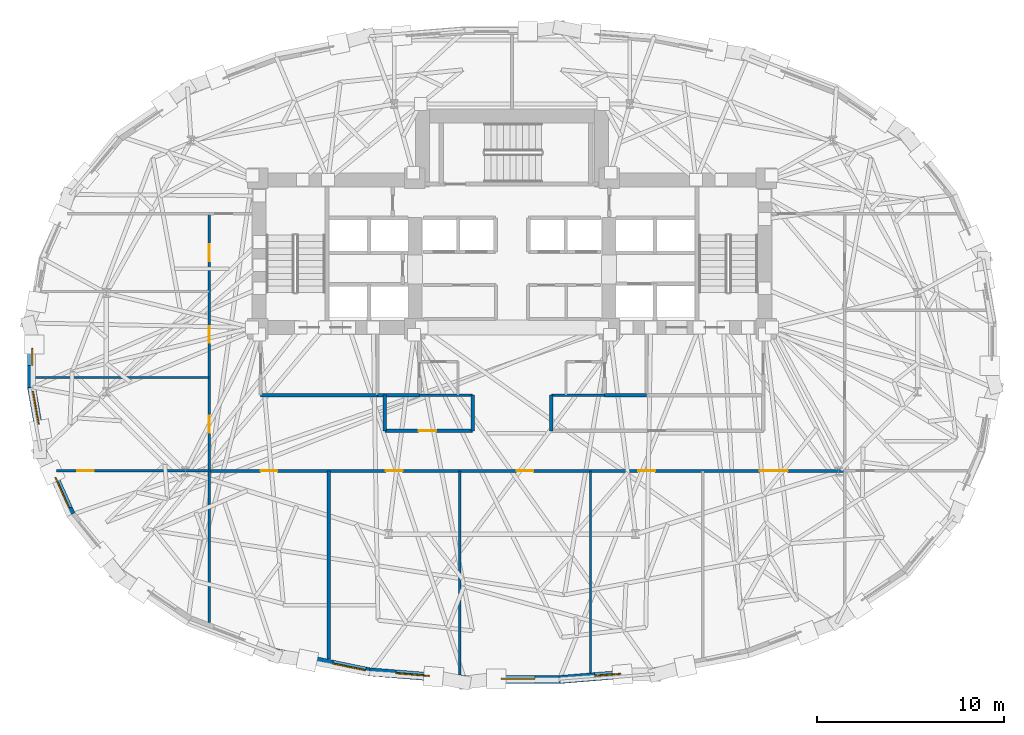
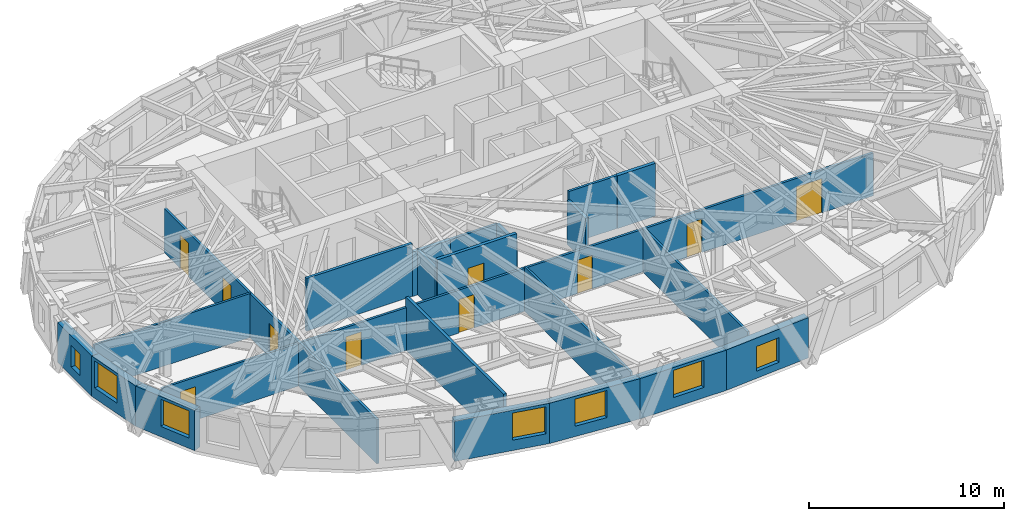
# One storey, part 6 of 14: 23 walls, 10 doors, 7 windows, 17 openings.
"""IFC4 building model written with IfcOpenShell, lengths in metres."""

import ifcopenshell
import ifcopenshell.guid

model = None  # the IFC model being written
_history = None  # IfcOwnerHistory: only IFC2X3 demands one
_inside = {}  # id of a spatial element -> (the spatial element, [elements in it])
_under = {}  # id of a project, library or spatial element -> (it, [spatial elements below it])
_declared = {}  # id of a project -> (the project, [libraries it declares])
_typed = {}  # id of a type object -> (the type object, [elements of that type])
_made_of = {}  # id of a material, layer set ... -> (it, [elements and type objects made of it])


def new_model(schema):
    """Start an empty IFC model of exactly this schema.

    Asked for "IFC4X3", IfcOpenShell would pick the latest addendum, in which some entities
    have other attributes; the version numbers below select the first issue.
    IFC2X3 requires an IfcOwnerHistory on every rooted entity: one is made here for all.
    """
    global model, _history
    if schema == "IFC4X3":
        model = ifcopenshell.file(schema_version=(4, 3, 0, 0))
    else:
        model = ifcopenshell.file(schema=schema)
    _inside.clear()
    _under.clear()
    _declared.clear()
    _typed.clear()
    _made_of.clear()
    _history = None
    if model.schema == "IFC2X3":
        org = make("IfcOrganization", Name="unknown")
        user = make(
            "IfcPersonAndOrganization",
            ThePerson=make("IfcPerson", FamilyName="unknown"),
            TheOrganization=org,
        )
        app = make(
            "IfcApplication",
            ApplicationDeveloper=org,
            Version="unknown",
            ApplicationFullName="unknown",
            ApplicationIdentifier="unknown",
        )
        _history = make(
            "IfcOwnerHistory",
            OwningUser=user,
            OwningApplication=app,
            ChangeAction="ADDED",
            CreationDate=0,
        )
    return model


def make(cls, **values):
    """One entity of the class cls with the attributes given. An attribute that is None is left unset."""
    return model.create_entity(
        cls, **{name: value for name, value in values.items() if value is not None}
    )


def rooted(cls, **values):
    """An entity with a GlobalId (a new one), such as an element, a storey or a relation."""
    return make(cls, GlobalId=ifcopenshell.guid.new(), OwnerHistory=_history, **values)


def si_unit(unit_type, name, prefix=None):
    """IfcSIUnit, for example si_unit("LENGTHUNIT", "METRE", prefix="MILLI")."""
    return make("IfcSIUnit", UnitType=unit_type, Prefix=prefix, Name=name)


def assignment(units):
    """IfcUnitAssignment: the units of a project."""
    return None if units is None else make("IfcUnitAssignment", Units=units)


def point(xyz):
    """IfcCartesianPoint."""
    return None if xyz is None else make("IfcCartesianPoint", Coordinates=xyz)


def direction(xyz):
    """IfcDirection."""
    return None if xyz is None else make("IfcDirection", DirectionRatios=xyz)


def frame(location, z_axis=None, x_axis=None):
    """IfcAxis2Placement3D, a coordinate frame: its origin and axes. An axis left out is left unset."""
    return make(
        "IfcAxis2Placement3D",
        Location=point(location),
        Axis=direction(z_axis),
        RefDirection=direction(x_axis),
    )


def frame_2d(location, x_axis=None):
    """IfcAxis2Placement2D, a coordinate frame in the plane: its origin and x axis."""
    return make(
        "IfcAxis2Placement2D", Location=point(location), RefDirection=direction(x_axis)
    )


def origin():
    """The frame at (0, 0, 0) with its axes left unset."""
    return frame((0.0, 0.0, 0.0))


def place(relative_to, where):
    """IfcLocalPlacement: puts the frame where relative to a parent placement (None: the world)."""
    return make(
        "IfcLocalPlacement", PlacementRelTo=relative_to, RelativePlacement=where
    )


def context(
    kind, dimensions, precision=None, world=None, true_north=None, identifier=None
):
    """IfcGeometricRepresentationContext, for example the 3D "Model" context."""
    return make(
        "IfcGeometricRepresentationContext",
        ContextIdentifier=identifier,
        ContextType=kind,
        CoordinateSpaceDimension=dimensions,
        Precision=precision,
        WorldCoordinateSystem=world,
        TrueNorth=true_north,
    )


def subcontext(parent, identifier, kind, view, scale=None):
    """IfcGeometricRepresentationSubContext, for example "Body" below "Model"."""
    return make(
        "IfcGeometricRepresentationSubContext",
        ContextIdentifier=identifier,
        ContextType=kind,
        ParentContext=parent,
        TargetScale=scale,
        TargetView=view,
    )


def project(units=None, contexts=None):
    """IfcProject with its units and contexts."""
    return rooted(
        "IfcProject",
        Name="project",
        RepresentationContexts=contexts,
        UnitsInContext=assignment(units),
    )


def spatial(cls, under=None, at=None, **own):
    """A site, building, storey or space (cls), placed at a placement, below another one or the project."""
    s = rooted(cls, ObjectPlacement=at, **own)
    if under is not None:
        _under.setdefault(under.id(), (under, []))[1].append(s)
    return s


def profile(cls, at=None, kind="AREA", **sizes):
    """A parametric profile (cls). Its sizes go by their IFC names, for example OverallWidth=200.0."""
    return make(cls, ProfileType=kind, Position=at, **sizes)


def rectangle(**sizes):
    """IfcRectangleProfileDef."""
    return profile("IfcRectangleProfileDef", **sizes)


def extrude(swept, where, along, depth):
    """IfcExtrudedAreaSolid: the profile swept, set in the frame where, extruded along a direction by depth."""
    return make(
        "IfcExtrudedAreaSolid",
        SweptArea=swept,
        Position=where,
        ExtrudedDirection=direction(along),
        Depth=depth,
    )


def shape(context_of_items, identifier, shape_type, items):
    """IfcShapeRepresentation: the items that make up one representation, for example the "Body"."""
    return make(
        "IfcShapeRepresentation",
        ContextOfItems=context_of_items,
        RepresentationIdentifier=identifier,
        RepresentationType=shape_type,
        Items=items,
    )


def material(Name=None, Category=None):
    """IfcMaterial."""
    return make("IfcMaterial", Name=Name, Category=Category)


def layer(
    of_material, thickness, ventilated=None, Name=None, Category=None, Priority=None
):
    """IfcMaterialLayer: one layer of a wall or slab, of a material (None: an air gap)."""
    return make(
        "IfcMaterialLayer",
        Material=of_material,
        LayerThickness=thickness,
        IsVentilated=ventilated,
        Name=Name,
        Category=Category,
        Priority=Priority,
    )


def layer_set(layers, Name=None):
    """IfcMaterialLayerSet."""
    return make("IfcMaterialLayerSet", MaterialLayers=layers, LayerSetName=Name)


def made_of(thing, what):
    """Note that an element or type object is made of a material, layer set ...; save() writes the relation."""
    if what is not None:
        _made_of.setdefault(what.id(), (what, []))[1].append(thing)
    return thing


def type_object(cls, material=None, **own):
    """A type object (cls), such as IfcWallType, which elements share."""
    return made_of(rooted(cls, **own), material)


def element(
    cls,
    number,
    at=None,
    inside=None,
    cuts=None,
    type_object=None,
    material=None,
    context=None,
    identifier="Body",
    shape_type=None,
    held_by="IfcProductDefinitionShape",
    body=None,
    shapes=None,
    **own,
):
    """One element of the class cls, such as IfcWall. Its Tag is "e" and its number.

    at: its placement. inside: the storey or other place that contains it. cuts: it is an
    opening in that element (IfcRelVoidsElement). A single representation is given by context,
    identifier, shape_type and body (its items); several are given by shapes. held_by: the class
    of the entity that holds the representations. save() writes the other relations.
    """
    e = rooted(cls, Tag="e%d" % number, ObjectPlacement=at, **own)
    if body is not None:
        shapes = [shape(context, identifier, shape_type, body)]
    if shapes is not None:
        e.Representation = make(held_by, Representations=shapes)
    if inside is not None:
        _inside.setdefault(inside.id(), (inside, []))[1].append(e)
    if cuts is not None:
        rooted(
            "IfcRelVoidsElement", RelatingBuildingElement=cuts, RelatedOpeningElement=e
        )
    if type_object is not None:
        _typed.setdefault(type_object.id(), (type_object, []))[1].append(e)
    return made_of(e, material)


def fill(opening, filler):
    """IfcRelFillsElement: the door or window that sits in an opening."""
    return rooted(
        "IfcRelFillsElement",
        RelatingOpeningElement=opening,
        RelatedBuildingElement=filler,
    )


def aggregate(whole, parts):
    """IfcRelAggregates: a whole, such as a stair, and the parts it consists of."""
    return rooted("IfcRelAggregates", RelatingObject=whole, RelatedObjects=parts)


def save(model, path):
    """Write the relations noted so far, then the file.

    IfcRelAggregates (storeys below a building ...), IfcRelContainedInSpatialStructure (elements
    in a storey), IfcRelDefinesByType, IfcRelAssociatesMaterial and IfcRelDeclares: one each for
    every whole, place, type object, material and project.
    """
    for whole, parts in _under.values():
        aggregate(whole, parts)
    for where, things in _inside.values():
        rooted(
            "IfcRelContainedInSpatialStructure",
            RelatedElements=things,
            RelatingStructure=where,
        )
    for kind, things in _typed.values():
        rooted("IfcRelDefinesByType", RelatedObjects=things, RelatingType=kind)
    for what, things in _made_of.values():
        rooted("IfcRelAssociatesMaterial", RelatedObjects=things, RelatingMaterial=what)
    for by, libraries in _declared.values():
        rooted("IfcRelDeclares", RelatingContext=by, RelatedDefinitions=libraries)
    model.write(path)


model = new_model("IFC4")

# Units and contexts
model_context = context("Model", 3, precision=1e-05, world=origin(), true_north=direction((0.0, 1.0)))
body_context = subcontext(model_context, "Body", "Model", "MODEL_VIEW")
ifc_project = project(units=[si_unit("LENGTHUNIT", "METRE"), si_unit("AREAUNIT", "SQUARE_METRE"), si_unit("VOLUMEUNIT", "CUBIC_METRE"), si_unit("PLANEANGLEUNIT", "RADIAN"), si_unit("MASSUNIT", "GRAM", prefix="KILO")], contexts=[model_context])

# Site, building, storey
site_placement = place(None, origin())
site = spatial("IfcSite", under=ifc_project, at=site_placement, CompositionType="ELEMENT")
building_placement = place(site_placement, origin())
building = spatial("IfcBuilding", under=site, at=building_placement, Name="Keldmark Tower", CompositionType="ELEMENT")
storey_placement = place(building_placement, frame((0.0, 0.0, 124.60009765625)))
storey = spatial("IfcBuildingStorey", under=building, at=storey_placement, Name="L33", CompositionType="ELEMENT", Elevation=124.60009765625)

# Wall, openings, doors
ifc_material_1 = material(Name="Acoustic Double-Layer Gypsum Corridor Partition", Category="gypsum")
ifc_layer_1 = layer(ifc_material_1, 0.139892578125)
ifc_layer_set_1 = layer_set([ifc_layer_1], Name="Acoustic Double-Layer Gypsum Corridor Partition")
wall_type_1 = type_object("IfcWallType", Name="Acoustic Corridor Partition 140 mm", PredefinedType="PARTITIONING", material=ifc_layer_set_1)
wall_1_placement = place(storey_placement, frame((-16.199951171875, -6.199951171875, 0.0), z_axis=(0.0, 0.0, 1.0), x_axis=(1.0, 0.0, 0.0)))
wall_1 = element("IfcWall", 1, at=wall_1_placement, inside=storey, type_object=wall_type_1, Name="L33 Acoustic Corridor Partition 140 mm COR-S", PredefinedType="PARTITIONING", context=body_context, shape_type="SweptSolid", body=[
    extrude(rectangle(XDim=34.0, YDim=0.139892578125, at=frame_2d((17.0, 0.0))), origin(), (0.0, 0.0, 1.0), 2.68798828125),
])
opening_1_placement = place(wall_1_placement, frame((2.75, 0.0, 0.0)))
opening_1 = element("IfcOpeningElement", 2, at=opening_1_placement, cuts=wall_1, Name="Opening D-IN090", PredefinedType="OPENING", context=body_context, shape_type="SweptSolid", body=[
    extrude(rectangle(XDim=0.89990234375, YDim=2.10009765625, at=frame_2d((0.449951171875, 1.050048828125))), frame((0.0, 0.079833984375, 0.0), z_axis=(0.0, -1.0, 0.0), x_axis=(1.0, 0.0, 0.0)), (0.0, 0.0, 1.0), 0.159912109375),
])
opening_2_placement = place(wall_1_placement, frame((9.449951171875, 0.0, 0.0)))
opening_2 = element("IfcOpeningElement", 3, at=opening_2_placement, cuts=wall_1, Name="Opening D-IN090", PredefinedType="OPENING", context=body_context, shape_type="SweptSolid", body=[
    extrude(rectangle(XDim=0.89990234375, YDim=2.10009765625, at=frame_2d((0.449951171875, 1.050048828125))), frame((0.0, 0.079833984375, 0.0), z_axis=(0.0, -1.0, 0.0), x_axis=(1.0, 0.0, 0.0)), (0.0, 0.0, 1.0), 0.159912109375),
])
opening_3_placement = place(wall_1_placement, frame((16.449951171875, 0.0, 0.0)))
opening_3 = element("IfcOpeningElement", 4, at=opening_3_placement, cuts=wall_1, Name="Opening D-IN090", PredefinedType="OPENING", context=body_context, shape_type="SweptSolid", body=[
    extrude(rectangle(XDim=0.89990234375, YDim=2.10009765625, at=frame_2d((0.449951171875, 1.050048828125))), frame((0.0, 0.079833984375, 0.0), z_axis=(0.0, -1.0, 0.0), x_axis=(1.0, 0.0, 0.0)), (0.0, 0.0, 1.0), 0.159912109375),
])
opening_4_placement = place(wall_1_placement, frame((22.949951171875, 0.0, 0.0)))
opening_4 = element("IfcOpeningElement", 5, at=opening_4_placement, cuts=wall_1, Name="Opening D-IN090", PredefinedType="OPENING", context=body_context, shape_type="SweptSolid", body=[
    extrude(rectangle(XDim=0.89990234375, YDim=2.10009765625, at=frame_2d((0.449951171875, 1.050048828125))), frame((0.0, 0.079833984375, 0.0), z_axis=(0.0, -1.0, 0.0), x_axis=(1.0, 0.0, 0.0)), (0.0, 0.0, 1.0), 0.159912109375),
])
opening_5_placement = place(wall_1_placement, frame((29.449951171875, 0.0, 0.0)))
opening_5 = element("IfcOpeningElement", 6, at=opening_5_placement, cuts=wall_1, Name="Opening D-CF150", PredefinedType="OPENING", context=body_context, shape_type="SweptSolid", body=[
    extrude(rectangle(XDim=1.5, YDim=2.14990234375, at=frame_2d((0.75, 1.074951171875))), frame((0.0, 0.079833984375, 0.0), z_axis=(0.0, -1.0, 0.0), x_axis=(1.0, 0.0, 0.0)), (0.0, 0.0, 1.0), 0.159912109375),
])
ifc_material_2 = material(Name="Acoustic Timber and Tempered Glass Double Door", Category="wood")
door_type_1 = type_object("IfcDoorType", Name="Conference Double Door 1500x2150", OperationType="DOUBLE_DOOR_SINGLE_SWING", PredefinedType="DOOR", material=ifc_material_2)
door_1_placement = place(opening_5_placement, origin())
door_1 = element("IfcDoor", 7, at=door_1_placement, inside=storey, type_object=door_type_1, Name="L33 Conference Double Door 1500x2150 D-SR-5-L33", OperationType="DOUBLE_DOOR_SINGLE_SWING", OverallHeight=2.14990234375, OverallWidth=1.5, PredefinedType="DOOR", context=body_context, shape_type="SweptSolid", body=[
    extrude(rectangle(XDim=1.5, YDim=2.14990234375, at=frame_2d((0.75, 1.074951171875))), frame((0.0, 0.02490234375, 0.0), z_axis=(0.0, -1.0, 0.0), x_axis=(1.0, 0.0, 0.0)), (0.0, 0.0, 1.0), 0.050048828125),
])
fill(opening_5, door_1)
ifc_material_3 = material(Name="Stained American White Oak Veneer", Category="wood")
door_type_2 = type_object("IfcDoorType", Name="Interior Door 900x2100", OperationType="NOTDEFINED", PredefinedType="DOOR", material=ifc_material_3)
door_2_placement = place(opening_1_placement, origin())
door_2 = element("IfcDoor", 8, at=door_2_placement, inside=storey, type_object=door_type_2, Name="L33 Interior Door 900x2100 D-SR-1-L33", OperationType="SINGLE_SWING_LEFT", OverallHeight=2.10009765625, OverallWidth=0.89990234375, PredefinedType="DOOR", context=body_context, shape_type="SweptSolid", body=[
    extrude(rectangle(XDim=0.89990234375, YDim=2.10009765625, at=frame_2d((0.449951171875, 1.050048828125))), frame((0.0, 0.02490234375, 0.0), z_axis=(0.0, -1.0, 0.0), x_axis=(1.0, 0.0, 0.0)), (0.0, 0.0, 1.0), 0.050048828125),
])
fill(opening_1, door_2)
door_3_placement = place(opening_2_placement, origin())
door_3 = element("IfcDoor", 9, at=door_3_placement, inside=storey, type_object=door_type_2, Name="L33 Interior Door 900x2100 D-SR-2-L33", OperationType="SINGLE_SWING_RIGHT", OverallHeight=2.10009765625, OverallWidth=0.89990234375, PredefinedType="DOOR", context=body_context, shape_type="SweptSolid", body=[
    extrude(rectangle(XDim=0.89990234375, YDim=2.10009765625, at=frame_2d((0.449951171875, 1.050048828125))), frame((0.0, 0.02490234375, 0.0), z_axis=(0.0, -1.0, 0.0), x_axis=(1.0, 0.0, 0.0)), (0.0, 0.0, 1.0), 0.050048828125),
])
fill(opening_2, door_3)
door_4_placement = place(opening_3_placement, origin())
door_4 = element("IfcDoor", 10, at=door_4_placement, inside=storey, type_object=door_type_2, Name="L33 Interior Door 900x2100 D-SR-3-L33", OperationType="SINGLE_SWING_LEFT", OverallHeight=2.10009765625, OverallWidth=0.89990234375, PredefinedType="DOOR", context=body_context, shape_type="SweptSolid", body=[
    extrude(rectangle(XDim=0.89990234375, YDim=2.10009765625, at=frame_2d((0.449951171875, 1.050048828125))), frame((0.0, 0.02490234375, 0.0), z_axis=(0.0, -1.0, 0.0), x_axis=(1.0, 0.0, 0.0)), (0.0, 0.0, 1.0), 0.050048828125),
])
fill(opening_3, door_4)
door_5_placement = place(opening_4_placement, origin())
door_5 = element("IfcDoor", 11, at=door_5_placement, inside=storey, type_object=door_type_2, Name="L33 Interior Door 900x2100 D-SR-4-L33", OperationType="SINGLE_SWING_RIGHT", OverallHeight=2.10009765625, OverallWidth=0.89990234375, PredefinedType="DOOR", context=body_context, shape_type="SweptSolid", body=[
    extrude(rectangle(XDim=0.89990234375, YDim=2.10009765625, at=frame_2d((0.449951171875, 1.050048828125))), frame((0.0, 0.02490234375, 0.0), z_axis=(0.0, -1.0, 0.0), x_axis=(1.0, 0.0, 0.0)), (0.0, 0.0, 1.0), 0.050048828125),
])
fill(opening_4, door_5)

wall_2_placement = place(storey_placement, frame((-16.199951171875, -14.306396484375, 0.0), z_axis=(0.0, 0.0, 1.0), x_axis=(0.0, 1.0, 0.0)))
wall_2 = element("IfcWall", 12, at=wall_2_placement, inside=storey, type_object=wall_type_1, Name="L33 Acoustic Corridor Partition 140 mm COR-W", PredefinedType="PARTITIONING", context=body_context, shape_type="SweptSolid", body=[
    extrude(rectangle(XDim=21.8564453125, YDim=0.139892578125, at=frame_2d((10.92822265625, 0.0))), origin(), (0.0, 0.0, 1.0), 2.762939453125),
])
opening_6_placement = place(wall_2_placement, frame((10.156494140625, 0.0, 0.0)))
opening_6 = element("IfcOpeningElement", 13, at=opening_6_placement, cuts=wall_2, Name="Opening D-IN090", PredefinedType="OPENING", context=body_context, shape_type="SweptSolid", body=[
    extrude(rectangle(XDim=0.89990234375, YDim=2.10009765625, at=frame_2d((0.449951171875, 1.050048828125))), frame((0.0, 0.079833984375, 0.0), z_axis=(0.0, -1.0, 0.0), x_axis=(1.0, 0.0, 0.0)), (0.0, 0.0, 1.0), 0.159912109375),
])
opening_7_placement = place(wall_2_placement, frame((14.956298828125, 0.0, 0.0)))
opening_7 = element("IfcOpeningElement", 14, at=opening_7_placement, cuts=wall_2, Name="Opening D-IN090", PredefinedType="OPENING", context=body_context, shape_type="SweptSolid", body=[
    extrude(rectangle(XDim=0.89990234375, YDim=2.10009765625, at=frame_2d((0.449951171875, 1.050048828125))), frame((0.0, 0.079833984375, 0.0), z_axis=(0.0, -1.0, 0.0), x_axis=(1.0, 0.0, 0.0)), (0.0, 0.0, 1.0), 0.159912109375),
])
opening_8_placement = place(wall_2_placement, frame((19.331298828125, 0.0, 0.0)))
opening_8 = element("IfcOpeningElement", 15, at=opening_8_placement, cuts=wall_2, Name="Opening D-IN090", PredefinedType="OPENING", context=body_context, shape_type="SweptSolid", body=[
    extrude(rectangle(XDim=0.89990234375, YDim=2.10009765625, at=frame_2d((0.449951171875, 1.050048828125))), frame((0.0, 0.079833984375, 0.0), z_axis=(0.0, -1.0, 0.0), x_axis=(1.0, 0.0, 0.0)), (0.0, 0.0, 1.0), 0.159912109375),
])
door_6_placement = place(opening_6_placement, origin())
door_6 = element("IfcDoor", 16, at=door_6_placement, inside=storey, type_object=door_type_2, Name="L33 Interior Door 900x2100 D-WR-1-L33", OperationType="SINGLE_SWING_LEFT", OverallHeight=2.10009765625, OverallWidth=0.89990234375, PredefinedType="DOOR", context=body_context, shape_type="SweptSolid", body=[
    extrude(rectangle(XDim=0.89990234375, YDim=2.10009765625, at=frame_2d((0.449951171875, 1.050048828125))), frame((0.0, 0.02490234375, 0.0), z_axis=(0.0, -1.0, 0.0), x_axis=(1.0, 0.0, 0.0)), (0.0, 0.0, 1.0), 0.050048828125),
])
fill(opening_6, door_6)
door_7_placement = place(opening_7_placement, origin())
door_7 = element("IfcDoor", 17, at=door_7_placement, inside=storey, type_object=door_type_2, Name="L33 Interior Door 900x2100 D-WR-2-L33", OperationType="SINGLE_SWING_RIGHT", OverallHeight=2.10009765625, OverallWidth=0.89990234375, PredefinedType="DOOR", context=body_context, shape_type="SweptSolid", body=[
    extrude(rectangle(XDim=0.89990234375, YDim=2.10009765625, at=frame_2d((0.449951171875, 1.050048828125))), frame((0.0, 0.02490234375, 0.0), z_axis=(0.0, -1.0, 0.0), x_axis=(1.0, 0.0, 0.0)), (0.0, 0.0, 1.0), 0.050048828125),
])
fill(opening_7, door_7)
door_8_placement = place(opening_8_placement, origin())
door_8 = element("IfcDoor", 18, at=door_8_placement, inside=storey, type_object=door_type_2, Name="L33 Interior Door 900x2100 D-WR-3-L33", OperationType="SINGLE_SWING_LEFT", OverallHeight=2.10009765625, OverallWidth=0.89990234375, PredefinedType="DOOR", context=body_context, shape_type="SweptSolid", body=[
    extrude(rectangle(XDim=0.89990234375, YDim=2.10009765625, at=frame_2d((0.449951171875, 1.050048828125))), frame((0.0, 0.02490234375, 0.0), z_axis=(0.0, -1.0, 0.0), x_axis=(1.0, 0.0, 0.0)), (0.0, 0.0, 1.0), 0.050048828125),
])
fill(opening_8, door_8)

# Wall
ifc_material_4 = material(Name="STC-58 Insulated Tenant Demising Gypsum Partition", Category="gypsum")
ifc_layer_2 = layer(ifc_material_4, 0.175048828125)
ifc_layer_set_2 = layer_set([ifc_layer_2], Name="STC-58 Insulated Tenant Demising Gypsum Partition")
wall_type_2 = type_object("IfcWallType", Name="Demising Suite Partition 175 mm", PredefinedType="PARTITIONING", material=ifc_layer_set_2)
wall_3_placement = place(storey_placement, frame((-9.800048828125, -16.266357421875, 0.0), z_axis=(0.0, 0.0, 1.0), x_axis=(0.0, 1.0, 0.0)))
element("IfcWall", 19, at=wall_3_placement, inside=storey, type_object=wall_type_2, Name="L33 Demising Suite Partition 175 mm S-DIV-1", PredefinedType="PARTITIONING", context=body_context, shape_type="SweptSolid", body=[
    extrude(rectangle(XDim=10.06640625, YDim=0.175048828125, at=frame_2d((5.033203125, 0.0))), origin(), (0.0, 0.0, 1.0), 3.309814453125),
])

# Wall, opening, door
ifc_material_5 = material(Name="Heavy Acoustic Plumbing Chase Gypsum Assembly", Category="gypsum")
ifc_layer_3 = layer(ifc_material_5, 0.18994140625)
ifc_layer_set_3 = layer_set([ifc_layer_3], Name="Heavy Acoustic Plumbing Chase Gypsum Assembly")
wall_type_3 = type_object("IfcWallType", Name="Heavy Wet Wall 190 mm", PredefinedType="PLUMBINGWALL", material=ifc_layer_set_3)
wall_4_placement = place(storey_placement, frame((-6.800048828125, -4.050048828125, 0.0), z_axis=(0.0, 0.0, 1.0), x_axis=(1.0, 0.0, 0.0)))
wall_4 = element("IfcWall", 20, at=wall_4_placement, inside=storey, type_object=wall_type_3, Name="L33 Heavy Wet Wall 190 mm SPK-W-S", PredefinedType="PLUMBINGWALL", context=body_context, shape_type="SweptSolid", body=[
    extrude(rectangle(XDim=4.699951171875, YDim=0.18994140625, at=frame_2d((2.35009765625, 0.0))), origin(), (0.0, 0.0, 1.0), 3.309814453125),
])
opening_9_placement = place(wall_4_placement, frame((1.800048828125, 0.0, 0.0)))
opening_9 = element("IfcOpeningElement", 21, at=opening_9_placement, cuts=wall_4, Name="Opening D-AWC95", PredefinedType="OPENING", context=body_context, shape_type="SweptSolid", body=[
    extrude(rectangle(XDim=0.949951171875, YDim=2.14990234375, at=frame_2d((0.47509765625, 1.074951171875))), frame((0.0, 0.10498046875, 0.0), z_axis=(0.0, -1.0, 0.0), x_axis=(1.0, 0.0, 0.0)), (0.0, 0.0, 1.0), 0.2099609375),
])
ifc_material_6 = material(Name="Painted Solid-Core Architectural Wood", Category="wood")
door_type_3 = type_object("IfcDoorType", Name="Accessible WC Door 950x2150", OperationType="NOTDEFINED", PredefinedType="DOOR", material=ifc_material_6)
door_9_placement = place(opening_9_placement, origin())
door_9 = element("IfcDoor", 22, at=door_9_placement, inside=storey, type_object=door_type_3, Name="L33 Accessible WC Door 950x2150 D-SPKW1-L33", OperationType="SINGLE_SWING_LEFT", OverallHeight=2.14990234375, OverallWidth=0.949951171875, PredefinedType="DOOR", context=body_context, shape_type="SweptSolid", body=[
    extrude(rectangle(XDim=0.949951171875, YDim=2.14990234375, at=frame_2d((0.47509765625, 1.074951171875))), frame((0.0, 0.02490234375, 0.0), z_axis=(0.0, -1.0, 0.0), x_axis=(1.0, 0.0, 0.0)), (0.0, 0.0, 1.0), 0.050048828125),
])
fill(opening_9, door_9)

# Walls
for number, where, z_axis, x_axis, name in (
    (23, (-6.800048828125, -4.050048828125, 0.0), (0.0, 0.0, 1.0), (0.0, 1.0, 0.0), "L33 Heavy Wet Wall 190 mm SPK-W-W"),
    (24, (-2.10009765625, -4.050048828125, 0.0), (0.0, 0.0, 1.0), (0.0, 1.0, 0.0), "L33 Heavy Wet Wall 190 mm SPK-W-E"),
    (25, (2.10009765625, -4.050048828125, 0.0), (0.0, 0.0, 1.0), (0.0, 1.0, 0.0), "L33 Heavy Wet Wall 190 mm SPK-E-W"),
):
    element("IfcWall", number, at=place(storey_placement, frame(where, z_axis=z_axis, x_axis=x_axis)), inside=storey, type_object=wall_type_3, Name=name, PredefinedType="PLUMBINGWALL", context=body_context, shape_type="SweptSolid", body=[
        extrude(rectangle(XDim=1.900146484375, YDim=0.18994140625, at=frame_2d((0.9501953125, 0.0))), origin(), (0.0, 0.0, 1.0), 2.762939453125),
    ])
ifc_material_7 = material(Name="Acoustic Gypsum Board Interior Partition", Category="gypsum")
ifc_layer_4 = layer(ifc_material_7, 0.1298828125)
ifc_layer_set_4 = layer_set([ifc_layer_4], Name="Acoustic Gypsum Board Interior Partition")
wall_type_4 = type_object("IfcWallType", Name="Interior Partition 130 mm", PredefinedType="PARTITIONING", material=ifc_layer_set_4)
wall_5_placement = place(storey_placement, frame((-2.800048828125, -17.107666015625, 0.0), z_axis=(0.0, 0.0, 1.0), x_axis=(0.0, 1.0, 0.0)))
element("IfcWall", 26, at=wall_5_placement, inside=storey, type_object=wall_type_4, Name="L33 Interior Partition 130 mm S-DIV-2", PredefinedType="PARTITIONING", context=body_context, shape_type="SweptSolid", body=[
    extrude(rectangle(XDim=10.90771484375, YDim=0.1298828125, at=frame_2d((5.453857421875, 0.0))), origin(), (0.0, 0.0, 1.0), 2.762939453125),
])
wall_6_placement = place(storey_placement, frame((4.199951171875, -16.994140625, 0.0), z_axis=(0.0, 0.0, 1.0), x_axis=(0.0, 1.0, 0.0)))
element("IfcWall", 27, at=wall_6_placement, inside=storey, type_object=wall_type_4, Name="L33 Interior Partition 130 mm S-DIV-3", PredefinedType="PARTITIONING", context=body_context, shape_type="SweptSolid", body=[
    extrude(rectangle(XDim=10.794189453125, YDim=0.1298828125, at=frame_2d((5.39697265625, 0.0))), origin(), (0.0, 0.0, 1.0), 2.762939453125),
])

# Wall, opening, door
wall_7_placement = place(storey_placement, frame((-24.375, -6.199951171875, 0.0), z_axis=(0.0, 0.0, 1.0), x_axis=(1.0, 0.0, 0.0)))
wall_7 = element("IfcWall", 28, at=wall_7_placement, inside=storey, type_object=wall_type_4, Name="L33 Interior Partition 130 mm W-CAP-S", PredefinedType="PARTITIONING", context=body_context, shape_type="SweptSolid", body=[
    extrude(rectangle(XDim=8.175048828125, YDim=0.1298828125, at=frame_2d((4.08740234375, 0.0))), origin(), (0.0, 0.0, 1.0), 2.68798828125),
])
opening_10_placement = place(wall_7_placement, frame((1.110107421875, 0.0, 0.0)))
opening_10 = element("IfcOpeningElement", 29, at=opening_10_placement, cuts=wall_7, Name="Opening D-IN090", PredefinedType="OPENING", context=body_context, shape_type="SweptSolid", body=[
    extrude(rectangle(XDim=0.89990234375, YDim=2.10009765625, at=frame_2d((0.449951171875, 1.050048828125))), frame((0.0, 0.074951171875, 0.0), z_axis=(0.0, -1.0, 0.0), x_axis=(1.0, 0.0, 0.0)), (0.0, 0.0, 1.0), 0.14990234375),
])
door_10_placement = place(opening_10_placement, origin())
door_10 = element("IfcDoor", 30, at=door_10_placement, inside=storey, type_object=door_type_2, Name="L33 Interior Door 900x2100 D-WRSW-L33", OperationType="SINGLE_SWING_LEFT", OverallHeight=2.10009765625, OverallWidth=0.89990234375, PredefinedType="DOOR", context=body_context, shape_type="SweptSolid", body=[
    extrude(rectangle(XDim=0.89990234375, YDim=2.10009765625, at=frame_2d((0.449951171875, 1.050048828125))), frame((0.0, 0.02490234375, 0.0), z_axis=(0.0, -1.0, 0.0), x_axis=(1.0, 0.0, 0.0)), (0.0, 0.0, 1.0), 0.050048828125),
])
fill(opening_10, door_10)

# Walls
wall_8_placement = place(storey_placement, frame((-25.47705078125, -1.199951171875, 0.0), z_axis=(0.0, 0.0, 1.0), x_axis=(1.0, 0.0, 0.0)))
element("IfcWall", 31, at=wall_8_placement, inside=storey, type_object=wall_type_4, Name="L33 Interior Partition 130 mm W-DIV-1", PredefinedType="PARTITIONING", context=body_context, shape_type="SweptSolid", body=[
    extrude(rectangle(XDim=9.277099609375, YDim=0.1298828125, at=frame_2d((4.638671875, 0.0))), origin(), (0.0, 0.0, 1.0), 2.762939453125),
])
ifc_material_8 = material(Name="Type X Fire-Rated Gypsum Partition Assembly", Category="gypsum")
ifc_layer_5 = layer(ifc_material_8, 0.1650390625)
ifc_layer_set_5 = layer_set([ifc_layer_5], Name="Type X Fire-Rated Gypsum Partition Assembly")
wall_type_5 = type_object("IfcWallType", Name="Rated Partition 165 mm", PredefinedType="PARTITIONING", material=ifc_layer_set_5)
wall_9_placement = place(storey_placement, frame((-13.449951171875, -2.14990234375, 0.0), z_axis=(0.0, 0.0, 1.0), x_axis=(1.0, 0.0, 0.0)))
element("IfcWall", 32, at=wall_9_placement, inside=storey, type_object=wall_type_5, Name="L33 Rated Partition 165 mm FSAE-W-S", PredefinedType="PARTITIONING", context=body_context, shape_type="SweptSolid", body=[
    extrude(rectangle(XDim=6.25, YDim=0.1650390625, at=frame_2d((3.125, 0.0))), origin(), (0.0, 0.0, 1.0), 3.309814453125),
])
ifc_material_9 = material(Name="Fire-Resistant Type X Gypsum Shaftliner Coreboard", Category="gypsum")
ifc_layer_6 = layer(ifc_material_9, 0.199951171875)
ifc_layer_set_6 = layer_set([ifc_layer_6], Name="Fire-Resistant Type X Gypsum Shaftliner Coreboard")
wall_type_6 = type_object("IfcWallType", Name="Shaft Wall 200 mm", PredefinedType="SOLIDWALL", material=ifc_layer_set_6)
wall_10_placement = place(storey_placement, frame((-7.199951171875, -2.14990234375, 0.0), z_axis=(0.0, 0.0, 1.0), x_axis=(1.0, 0.0, 0.0)))
element("IfcWall", 33, at=wall_10_placement, inside=storey, type_object=wall_type_6, Name="L33 Shaft Wall 200 mm RIS-SW-S", PredefinedType="SOLIDWALL", context=body_context, shape_type="SweptSolid", body=[
    extrude(rectangle(XDim=2.25, YDim=0.199951171875, at=frame_2d((1.125, 0.0))), origin(), (0.0, 0.0, 1.0), 2.762939453125),
])
wall_11_placement = place(storey_placement, frame((4.949951171875, -2.14990234375, 0.0), z_axis=(0.0, 0.0, 1.0), x_axis=(1.0, 0.0, 0.0)))
element("IfcWall", 34, at=wall_11_placement, inside=storey, type_object=wall_type_6, Name="L33 Shaft Wall 200 mm RIS-SE-S", PredefinedType="SOLIDWALL", context=body_context, shape_type="SweptSolid", body=[
    extrude(rectangle(XDim=2.25, YDim=0.199951171875, at=frame_2d((1.125, 0.0))), origin(), (0.0, 0.0, 1.0), 3.309814453125),
])

# Wall, opening, window
ifc_material_10 = material(Name="Ironspot Manganese Brick and Kasota Buff Limestone Spandrel Assembly", Category="masonry")
ifc_layer_7 = layer(ifc_material_10, 0.43994140625)
ifc_layer_set_7 = layer_set([ifc_layer_7], Name="Ironspot Manganese Brick and Kasota Buff Limestone Spandrel Assembly")
wall_type_7 = type_object("IfcWallType", Name="Tower Brick Pier and Spandrel Wall 440 mm", PredefinedType="STANDARD", material=ifc_layer_set_7)
wall_12_placement = place(storey_placement, frame((-25.705078125, -1.731201171875, 0.0), z_axis=(0.0, 0.0, 1.0), x_axis=(0.0, 1.0, 0.0)))
wall_12 = element("IfcWall", 35, at=wall_12_placement, inside=storey, type_object=wall_type_7, Name="L33 Exterior Brick and Spandrel Wall 16", PredefinedType="STANDARD", context=body_context, shape_type="SweptSolid", body=[
    extrude(rectangle(XDim=3.46240234375, YDim=0.43994140625, at=frame_2d((1.731201171875, 0.0))), origin(), (0.0, 0.0, 1.0), 2.52783203125),
])
opening_11_placement = place(wall_12_placement, frame((1.182861328125, 0.0, 0.580078125)))
opening_11 = element("IfcOpeningElement", 36, at=opening_11_placement, cuts=wall_12, Name="Opening W-09", PredefinedType="OPENING", context=body_context, shape_type="SweptSolid", body=[
    extrude(rectangle(XDim=0.89990234375, YDim=1.35009765625, at=frame_2d((0.449951171875, 0.675048828125))), frame((0.0, 0.22998046875, 0.0), z_axis=(0.0, -1.0, 0.0), x_axis=(1.0, 0.0, 0.0)), (0.0, 0.0, 1.0), 0.4599609375),
])
ifc_material_11 = material(Name="Thermally Broken Anodized Aluminum and Triple Low-E Argon Glazing", Category="aluminium")
window_type_1 = type_object("IfcWindowType", Name="Corner Pier Deep-Set Window 900x1350", PartitioningType="SINGLE_PANEL", PredefinedType="WINDOW", material=ifc_material_11)
window_1_placement = place(opening_11_placement, origin())
window_1 = element("IfcWindow", 37, at=window_1_placement, inside=storey, type_object=window_type_1, Name="L33 Deep-Set Window 16", OverallHeight=1.35009765625, OverallWidth=0.89990234375, PartitioningType="SINGLE_PANEL", PredefinedType="WINDOW", context=body_context, shape_type="SweptSolid", body=[
    extrude(rectangle(XDim=0.89990234375, YDim=1.35009765625, at=frame_2d((0.449951171875, 0.675048828125))), frame((0.0, -0.010009765625, 0.0), z_axis=(0.0, -1.0, 0.0), x_axis=(1.0, 0.0, 0.0)), (0.0, 0.0, 1.0), 0.06005859375),
])
fill(opening_11, window_1)

wall_13_placement = place(storey_placement, frame((-25.095947265625, -5.167724609375, 0.0), z_axis=(0.0, 0.0, 1.0), x_axis=(-0.173615589384, 0.98481349865, 0.0)))
wall_13 = element("IfcWall", 38, at=wall_13_placement, inside=storey, type_object=wall_type_7, Name="L33 Exterior Brick and Spandrel Wall 17", PredefinedType="STANDARD", context=body_context, shape_type="SweptSolid", body=[
    extrude(rectangle(XDim=3.528076171875, YDim=0.43994140625, at=frame_2d((1.76416015625, 0.0))), origin(), (0.0, 0.0, 1.0), 2.52783203125),
])
opening_12_placement = place(wall_13_placement, frame((1.479248046875, 0.0, 0.64990234375)))
opening_12 = element("IfcOpeningElement", 39, at=opening_12_placement, cuts=wall_13, Name="Opening W-02", PredefinedType="OPENING", context=body_context, shape_type="SweptSolid", body=[
    extrude(rectangle(XDim=1.800048828125, YDim=1.699951171875, at=frame_2d((0.89990234375, 0.85009765625))), frame((0.0, 0.22998046875, 0.0), z_axis=(0.0, -1.0, 0.0), x_axis=(1.0, 0.0, 0.0)), (0.0, 0.0, 1.0), 0.4599609375),
])
ifc_material_12 = material(Name="Thermally Broken Anodized Aluminum and Triple Low-E Argon Glazing", Category="aluminium")
window_type_2 = type_object("IfcWindowType", Name="Office Deep-Set Triple Window 1800x1700", PartitioningType="TRIPLE_PANEL_VERTICAL", PredefinedType="WINDOW", material=ifc_material_12)
window_2_placement = place(opening_12_placement, origin())
window_2 = element("IfcWindow", 40, at=window_2_placement, inside=storey, type_object=window_type_2, Name="L33 Deep-Set Window 17", OverallHeight=1.699951171875, OverallWidth=1.800048828125, PartitioningType="SINGLE_PANEL", PredefinedType="WINDOW", context=body_context, shape_type="SweptSolid", body=[
    extrude(rectangle(XDim=1.800048828125, YDim=1.699951171875, at=frame_2d((0.89990234375, 0.85009765625))), frame((0.0, -0.010009765625, 0.0), z_axis=(0.0, -1.0, 0.0), x_axis=(1.0, 0.0, 0.0)), (0.0, 0.0, 1.0), 0.06005859375),
])
fill(opening_12, window_2)

wall_14_placement = place(storey_placement, frame((-23.5791015625, -8.527587890625, 0.0), z_axis=(0.0, 0.0, 1.0), x_axis=(-0.409835385481, 0.912159501846, 0.0)))
wall_14 = element("IfcWall", 41, at=wall_14_placement, inside=storey, type_object=wall_type_7, Name="L33 Exterior Brick and Spandrel Wall 18", PredefinedType="STANDARD", context=body_context, shape_type="SweptSolid", body=[
    extrude(rectangle(XDim=3.740478515625, YDim=0.43994140625, at=frame_2d((1.8701171875, 0.0))), origin(), (0.0, 0.0, 1.0), 2.52783203125),
])
opening_13_placement = place(wall_14_placement, frame((0.34912109375, 0.0, 0.64990234375)))
opening_13 = element("IfcOpeningElement", 42, at=opening_13_placement, cuts=wall_14, Name="Opening W-02", PredefinedType="OPENING", context=body_context, shape_type="SweptSolid", body=[
    extrude(rectangle(XDim=1.800048828125, YDim=1.699951171875, at=frame_2d((0.89990234375, 0.85009765625))), frame((0.0, 0.22998046875, 0.0), z_axis=(0.0, -1.0, 0.0), x_axis=(1.0, 0.0, 0.0)), (0.0, 0.0, 1.0), 0.4599609375),
])
window_3_placement = place(opening_13_placement, origin())
window_3 = element("IfcWindow", 43, at=window_3_placement, inside=storey, type_object=window_type_2, Name="L33 Deep-Set Window 18", OverallHeight=1.699951171875, OverallWidth=1.800048828125, PartitioningType="SINGLE_PANEL", PredefinedType="WINDOW", context=body_context, shape_type="SweptSolid", body=[
    extrude(rectangle(XDim=1.800048828125, YDim=1.699951171875, at=frame_2d((0.89990234375, 0.85009765625))), frame((0.0, -0.010009765625, 0.0), z_axis=(0.0, -1.0, 0.0), x_axis=(1.0, 0.0, 0.0)), (0.0, 0.0, 1.0), 0.06005859375),
])
fill(opening_13, window_3)

wall_15_placement = place(storey_placement, frame((-7.634033203125, -16.9462890625, 0.0), z_axis=(0.0, 0.0, 1.0), x_axis=(-0.979339014215, 0.202225357552, 0.0)))
wall_15 = element("IfcWall", 44, at=wall_15_placement, inside=storey, type_object=wall_type_7, Name="L33 Exterior Brick and Spandrel Wall 22", PredefinedType="STANDARD", context=body_context, shape_type="SweptSolid", body=[
    extrude(rectangle(XDim=5.13818359375, YDim=0.43994140625, at=frame_2d((2.569091796875, 0.0))), origin(), (0.0, 0.0, 1.0), 2.52783203125),
])
opening_14_placement = place(wall_15_placement, frame((0.199951171875, 0.0, 0.64990234375)))
opening_14 = element("IfcOpeningElement", 45, at=opening_14_placement, cuts=wall_15, Name="Opening W-02", PredefinedType="OPENING", context=body_context, shape_type="SweptSolid", body=[
    extrude(rectangle(XDim=1.800048828125, YDim=1.699951171875, at=frame_2d((0.89990234375, 0.85009765625))), frame((0.0, 0.22998046875, 0.0), z_axis=(0.0, -1.0, 0.0), x_axis=(1.0, 0.0, 0.0)), (0.0, 0.0, 1.0), 0.4599609375),
])
window_4_placement = place(opening_14_placement, origin())
window_4 = element("IfcWindow", 46, at=window_4_placement, inside=storey, type_object=window_type_2, Name="L33 Deep-Set Window 22", OverallHeight=1.699951171875, OverallWidth=1.800048828125, PartitioningType="SINGLE_PANEL", PredefinedType="WINDOW", context=body_context, shape_type="SweptSolid", body=[
    extrude(rectangle(XDim=1.800048828125, YDim=1.699951171875, at=frame_2d((0.89990234375, 0.85009765625))), frame((0.0, -0.010009765625, 0.0), z_axis=(0.0, -1.0, 0.0), x_axis=(1.0, 0.0, 0.0)), (0.0, 0.0, 1.0), 0.06005859375),
])
fill(opening_14, window_4)

wall_16_placement = place(storey_placement, frame((-2.53564453125, -17.35791015625, 0.0), z_axis=(0.0, 0.0, 1.0), x_axis=(-0.996733078328, 0.080766147401, 0.0)))
wall_16 = element("IfcWall", 47, at=wall_16_placement, inside=storey, type_object=wall_type_7, Name="L33 Exterior Brick and Spandrel Wall 23", PredefinedType="STANDARD", context=body_context, shape_type="SweptSolid", body=[
    extrude(rectangle(XDim=5.141845703125, YDim=0.43994140625, at=frame_2d((2.57080078125, 0.0))), origin(), (0.0, 0.0, 1.0), 2.52783203125),
])
opening_15_placement = place(wall_16_placement, frame((1.895263671875, 0.0, 0.64990234375)))
opening_15 = element("IfcOpeningElement", 48, at=opening_15_placement, cuts=wall_16, Name="Opening W-02", PredefinedType="OPENING", context=body_context, shape_type="SweptSolid", body=[
    extrude(rectangle(XDim=1.800048828125, YDim=1.699951171875, at=frame_2d((0.89990234375, 0.85009765625))), frame((0.0, 0.22998046875, 0.0), z_axis=(0.0, -1.0, 0.0), x_axis=(1.0, 0.0, 0.0)), (0.0, 0.0, 1.0), 0.4599609375),
])
window_5_placement = place(opening_15_placement, origin())
window_5 = element("IfcWindow", 49, at=window_5_placement, inside=storey, type_object=window_type_2, Name="L33 Deep-Set Window 23", OverallHeight=1.699951171875, OverallWidth=1.800048828125, PartitioningType="SINGLE_PANEL", PredefinedType="WINDOW", context=body_context, shape_type="SweptSolid", body=[
    extrude(rectangle(XDim=1.800048828125, YDim=1.699951171875, at=frame_2d((0.89990234375, 0.85009765625))), frame((0.0, -0.010009765625, 0.0), z_axis=(0.0, -1.0, 0.0), x_axis=(1.0, 0.0, 0.0)), (0.0, 0.0, 1.0), 0.06005859375),
])
fill(opening_15, window_5)

wall_17_placement = place(storey_placement, frame((2.553466796875, -17.357177734375, 0.0), z_axis=(0.0, 0.0, 1.0), x_axis=(-1.0, 0.0, 0.0)))
wall_17 = element("IfcWall", 50, at=wall_17_placement, inside=storey, type_object=wall_type_7, Name="L33 Exterior Brick and Spandrel Wall 24", PredefinedType="STANDARD", context=body_context, shape_type="SweptSolid", body=[
    extrude(rectangle(XDim=5.10693359375, YDim=0.43994140625, at=frame_2d((2.553466796875, 0.0))), origin(), (0.0, 0.0, 1.0), 2.52783203125),
])
opening_16_placement = place(wall_17_placement, frame((1.333251953125, 0.0, 0.64990234375)))
opening_16 = element("IfcOpeningElement", 51, at=opening_16_placement, cuts=wall_17, Name="Opening W-02", PredefinedType="OPENING", context=body_context, shape_type="SweptSolid", body=[
    extrude(rectangle(XDim=1.800048828125, YDim=1.699951171875, at=frame_2d((0.89990234375, 0.85009765625))), frame((0.0, 0.22998046875, 0.0), z_axis=(0.0, -1.0, 0.0), x_axis=(1.0, 0.0, 0.0)), (0.0, 0.0, 1.0), 0.4599609375),
])
window_6_placement = place(opening_16_placement, origin())
window_6 = element("IfcWindow", 52, at=window_6_placement, inside=storey, type_object=window_type_2, Name="L33 Deep-Set Window 24", OverallHeight=1.699951171875, OverallWidth=1.800048828125, PartitioningType="SINGLE_PANEL", PredefinedType="WINDOW", context=body_context, shape_type="SweptSolid", body=[
    extrude(rectangle(XDim=1.800048828125, YDim=1.699951171875, at=frame_2d((0.89990234375, 0.85009765625))), frame((0.0, -0.010009765625, 0.0), z_axis=(0.0, -1.0, 0.0), x_axis=(1.0, 0.0, 0.0)), (0.0, 0.0, 1.0), 0.06005859375),
])
fill(opening_16, window_6)

wall_18_placement = place(storey_placement, frame((7.66064453125, -16.942626953125, 0.0), z_axis=(0.0, 0.0, 1.0), x_axis=(-0.996733078328, -0.080766147401, 0.0)))
wall_18 = element("IfcWall", 53, at=wall_18_placement, inside=storey, type_object=wall_type_7, Name="L33 Exterior Brick and Spandrel Wall 25", PredefinedType="STANDARD", context=body_context, shape_type="SweptSolid", body=[
    extrude(rectangle(XDim=5.141845703125, YDim=0.43994140625, at=frame_2d((2.57080078125, 0.0))), origin(), (0.0, 0.0, 1.0), 2.52783203125),
])
opening_17_placement = place(wall_18_placement, frame((1.845947265625, 0.0, 0.449951171875)))
opening_17 = element("IfcOpeningElement", 54, at=opening_17_placement, cuts=wall_18, Name="Opening W-08", PredefinedType="OPENING", context=body_context, shape_type="SweptSolid", body=[
    extrude(rectangle(XDim=1.39990234375, YDim=1.550048828125, at=frame_2d((0.699951171875, 0.77490234375))), frame((0.0, 0.22998046875, 0.0), z_axis=(0.0, -1.0, 0.0), x_axis=(1.0, 0.0, 0.0)), (0.0, 0.0, 1.0), 0.4599609375),
])
ifc_material_13 = material(Name="Thermally Broken Anodized Aluminum and Triple Low-E Argon Glazing", Category="aluminium")
window_type_3 = type_object("IfcWindowType", Name="Residential Corner Punched Window 1400x1550", PartitioningType="SINGLE_PANEL", PredefinedType="WINDOW", material=ifc_material_13)
window_7_placement = place(opening_17_placement, origin())
window_7 = element("IfcWindow", 55, at=window_7_placement, inside=storey, type_object=window_type_3, Name="L33 Deep-Set Window 25", OverallHeight=1.550048828125, OverallWidth=1.39990234375, PartitioningType="SINGLE_PANEL", PredefinedType="WINDOW", context=body_context, shape_type="SweptSolid", body=[
    extrude(rectangle(XDim=1.39990234375, YDim=1.550048828125, at=frame_2d((0.699951171875, 0.77490234375))), frame((0.0, -0.010009765625, 0.0), z_axis=(0.0, -1.0, 0.0), x_axis=(1.0, 0.0, 0.0)), (0.0, 0.0, 1.0), 0.06005859375),
])
fill(opening_17, window_7)

# Walls
ifc_material_14 = material(Name="Moisture-Resistant Gypsum Plumbing Partition", Category="gypsum")
ifc_layer_8 = layer(ifc_material_14, 0.14990234375)
ifc_layer_set_8 = layer_set([ifc_layer_8], Name="Moisture-Resistant Gypsum Plumbing Partition")
wall_type_8 = type_object("IfcWallType", Name="Wet Wall 150 mm", PredefinedType="PLUMBINGWALL", material=ifc_layer_set_8)
wall_19_placement = place(storey_placement, frame((-4.949951171875, -2.14990234375, 0.0), z_axis=(0.0, 0.0, 1.0), x_axis=(1.0, 0.0, 0.0)))
element("IfcWall", 56, at=wall_19_placement, inside=storey, type_object=wall_type_8, Name="L33 Wet Wall 150 mm SPK-W-N", PredefinedType="PLUMBINGWALL", context=body_context, shape_type="SweptSolid", body=[
    extrude(rectangle(XDim=2.849853515625, YDim=0.14990234375, at=frame_2d((1.4248046875, 0.0))), origin(), (0.0, 0.0, 1.0), 2.762939453125),
])
wall_20_placement = place(storey_placement, frame((2.10009765625, -2.14990234375, 0.0), z_axis=(0.0, 0.0, 1.0), x_axis=(1.0, 0.0, 0.0)))
element("IfcWall", 57, at=wall_20_placement, inside=storey, type_object=wall_type_8, Name="L33 Wet Wall 150 mm SPK-E-N", PredefinedType="PLUMBINGWALL", context=body_context, shape_type="SweptSolid", body=[
    extrude(rectangle(XDim=2.849853515625, YDim=0.14990234375, at=frame_2d((1.4248046875, 0.0))), origin(), (0.0, 0.0, 1.0), 3.309814453125),
])

save(model, "model.ifc")
